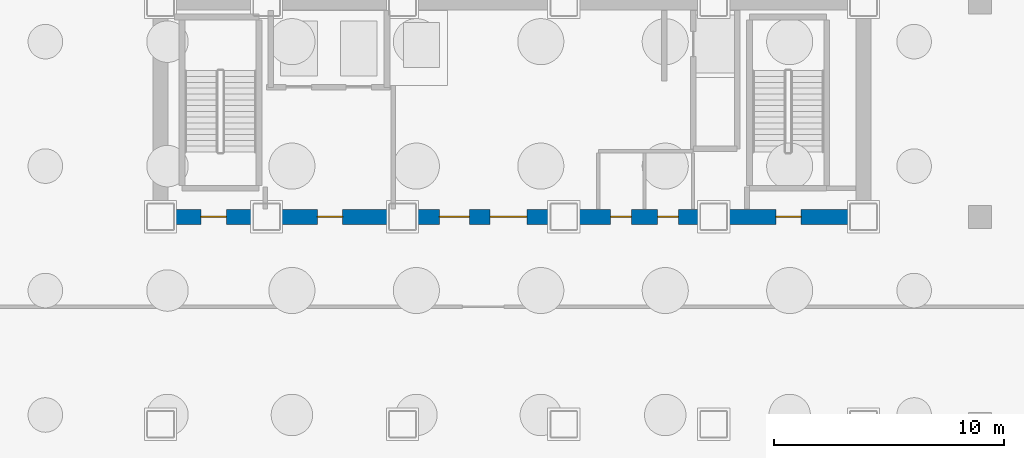
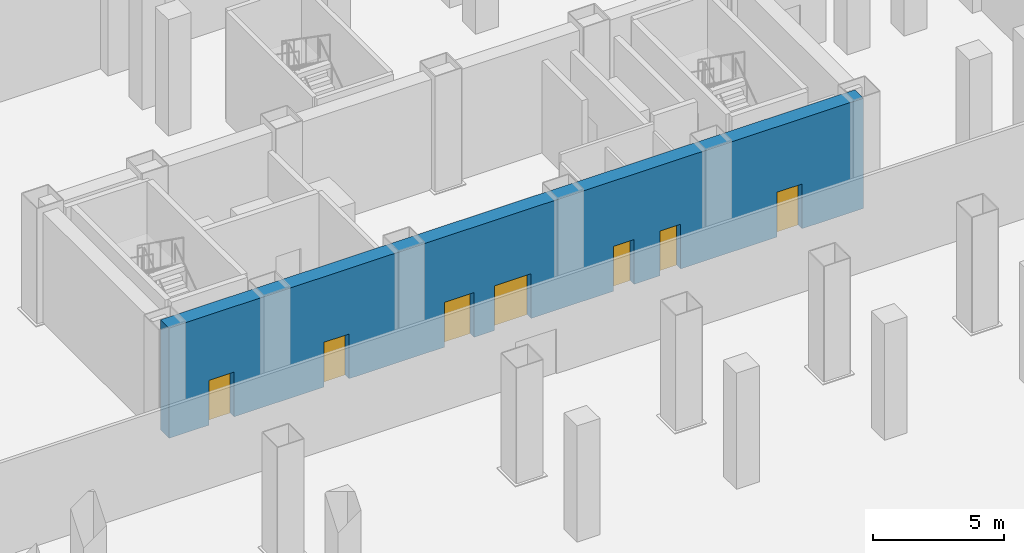
# One storey, part 3 of 8: 7 doors, 1 wall, 7 openings.
"""IFC4 building model written with IfcOpenShell, lengths in metres."""

from ifc_helpers import new_model, si_unit, direction, frame, frame_2d, origin, place, context, subcontext, project, spatial, rectangle, extrude, material, layer, layer_set, type_object, element, fill, save


model = new_model("IFC4")

# Units and contexts
model_context = context("Model", 3, precision=1e-05, world=origin(), true_north=direction((0.0, 1.0)))
body_context = subcontext(model_context, "Body", "Model", "MODEL_VIEW")
ifc_project = project(units=[si_unit("LENGTHUNIT", "METRE"), si_unit("AREAUNIT", "SQUARE_METRE"), si_unit("VOLUMEUNIT", "CUBIC_METRE"), si_unit("PLANEANGLEUNIT", "RADIAN"), si_unit("MASSUNIT", "GRAM", prefix="KILO")], contexts=[model_context])

# Site, building, storey
site_placement = place(None, origin())
site = spatial("IfcSite", under=ifc_project, at=site_placement, CompositionType="ELEMENT")
building_placement = place(site_placement, origin())
building = spatial("IfcBuilding", under=site, at=building_placement, Name="Noeulbin Bourse Tower", CompositionType="ELEMENT")
storey_placement = place(building_placement, frame((0.0, 0.0, -15.60009765625)))
storey = spatial("IfcBuildingStorey", under=building, at=storey_placement, Name="B03", CompositionType="ELEMENT", Elevation=-15.60009765625)

# Wall, openings, doors
ifc_material_1 = material(Name="Concrete C60/75", Category="concrete")
ifc_layer = layer(ifc_material_1, 0.64990234375)
ifc_layer_set = layer_set([ifc_layer], Name="Concrete C60/75")
wall_type = type_object("IfcWallType", Name="WAL-CORE-650", PredefinedType="SHEAR", material=ifc_layer_set)
wall_placement = place(storey_placement, frame((13.5, 29.0, 0.0), z_axis=(0.0, 0.0, 1.0), x_axis=(1.0, 0.0, 0.0)))
wall = element("IfcWall", 1, at=wall_placement, inside=storey, type_object=wall_type, Name="Rear Core South Shear Wall B03", PredefinedType="SHEAR", context=body_context, shape_type="SweptSolid", body=[
    extrude(rectangle(XDim=30.5, YDim=0.64990234375, at=frame_2d((15.25, 0.0))), origin(), (0.0, 0.0, 1.0), 5.1201171875),
])
opening_1_placement = place(wall_placement, frame((1.75, 0.0, 0.0)))
opening_1 = element("IfcOpeningElement", 2, at=opening_1_placement, cuts=wall, Name="Opening FD-11", PredefinedType="OPENING", context=body_context, shape_type="SweptSolid", body=[
    extrude(rectangle(XDim=1.10009765625, YDim=2.080078125, at=frame_2d((0.550048828125, 1.0400390625))), frame((0.0, 0.3349609375, 0.0), z_axis=(0.0, -1.0, 0.0), x_axis=(1.0, 0.0, 0.0)), (0.0, 0.0, 1.0), 0.669921875),
])
opening_2_placement = place(wall_placement, frame((26.699951171875, 0.0, 0.0)))
opening_2 = element("IfcOpeningElement", 3, at=opening_2_placement, cuts=wall, Name="Opening FD-11", PredefinedType="OPENING", context=body_context, shape_type="SweptSolid", body=[
    extrude(rectangle(XDim=1.10009765625, YDim=2.080078125, at=frame_2d((0.550048828125, 1.0400390625))), frame((0.0, 0.3349609375, 0.0), z_axis=(0.0, -1.0, 0.0), x_axis=(1.0, 0.0, 0.0)), (0.0, 0.0, 1.0), 0.669921875),
])
opening_3_placement = place(wall_placement, frame((6.800048828125, 0.0, 0.0)))
opening_3 = element("IfcOpeningElement", 4, at=opening_3_placement, cuts=wall, Name="Opening FD-11", PredefinedType="OPENING", context=body_context, shape_type="SweptSolid", body=[
    extrude(rectangle(XDim=1.10009765625, YDim=2.080078125, at=frame_2d((0.550048828125, 1.0400390625))), frame((0.0, 0.3349609375, 0.0), z_axis=(0.0, -1.0, 0.0), x_axis=(1.0, 0.0, 0.0)), (0.0, 0.0, 1.0), 0.669921875),
])
opening_4_placement = place(wall_placement, frame((14.300048828125, 0.0, 0.0)))
opening_4 = element("IfcOpeningElement", 5, at=opening_4_placement, cuts=wall, Name="Opening ID-16", PredefinedType="OPENING", context=body_context, shape_type="SweptSolid", body=[
    extrude(rectangle(XDim=1.60009765625, YDim=2.080078125, at=frame_2d((0.800048828125, 1.0400390625))), frame((0.0, 0.3349609375, 0.0), z_axis=(0.0, -1.0, 0.0), x_axis=(1.0, 0.0, 0.0)), (0.0, 0.0, 1.0), 0.669921875),
])
opening_5_placement = place(wall_placement, frame((19.530029296875, 0.0, 0.0)))
opening_5 = element("IfcOpeningElement", 6, at=opening_5_placement, cuts=wall, Name="Opening FD-09", PredefinedType="OPENING", context=body_context, shape_type="SweptSolid", body=[
    extrude(rectangle(XDim=0.89990234375, YDim=2.080078125, at=frame_2d((0.449951171875, 1.0400390625))), frame((0.0, 0.3349609375, 0.0), z_axis=(0.0, -1.0, 0.0), x_axis=(1.0, 0.0, 0.0)), (0.0, 0.0, 1.0), 0.669921875),
])
opening_6_placement = place(wall_placement, frame((21.570068359375, 0.0, 0.0)))
opening_6 = element("IfcOpeningElement", 7, at=opening_6_placement, cuts=wall, Name="Opening FD-09", PredefinedType="OPENING", context=body_context, shape_type="SweptSolid", body=[
    extrude(rectangle(XDim=0.89990234375, YDim=2.080078125, at=frame_2d((0.449951171875, 1.0400390625))), frame((0.0, 0.3349609375, 0.0), z_axis=(0.0, -1.0, 0.0), x_axis=(1.0, 0.0, 0.0)), (0.0, 0.0, 1.0), 0.669921875),
])
opening_7_placement = place(wall_placement, frame((12.10009765625, 0.0, 0.0)))
opening_7 = element("IfcOpeningElement", 8, at=opening_7_placement, cuts=wall, Name="Opening LD-13", PredefinedType="OPENING", context=body_context, shape_type="SweptSolid", body=[
    extrude(rectangle(XDim=1.300048828125, YDim=2.080078125, at=frame_2d((0.64990234375, 1.0400390625))), frame((0.0, 0.3349609375, 0.0), z_axis=(0.0, -1.0, 0.0), x_axis=(1.0, 0.0, 0.0)), (0.0, 0.0, 1.0), 0.669921875),
])
ifc_material_2 = material(Name="Acoustic Glazed Aluminium", Category="aluminium")
door_type_1 = type_object("IfcDoorType", Name="DR-DBL-1600", OperationType="DOUBLE_DOOR_SINGLE_SWING", PredefinedType="DOOR", material=ifc_material_2)
door_1_placement = place(opening_4_placement, origin())
door_1 = element("IfcDoor", 9, at=door_1_placement, inside=storey, type_object=door_type_1, Name="Passenger Lift Lobby Portal B03", OperationType="DOUBLE_DOOR_SINGLE_SWING", OverallHeight=2.080078125, OverallWidth=1.60009765625, PredefinedType="DOOR", context=body_context, shape_type="SweptSolid", body=[
    extrude(rectangle(XDim=1.60009765625, YDim=2.080078125, at=frame_2d((0.800048828125, 1.0400390625))), frame((0.0, 0.02490234375, 0.0), z_axis=(0.0, -1.0, 0.0), x_axis=(1.0, 0.0, 0.0)), (0.0, 0.0, 1.0), 0.050048828125),
])
fill(opening_4, door_1)
ifc_material_3 = material(Name="Fire-Rated Timber Core", Category="wood")
door_type_2 = type_object("IfcDoorType", Name="DR-FD30-900", OperationType="SINGLE_SWING_RIGHT", PredefinedType="DOOR", material=ifc_material_3)
door_2_placement = place(opening_5_placement, origin())
door_2 = element("IfcDoor", 10, at=door_2_placement, inside=storey, type_object=door_type_2, Name="Interior Door B03-09", OperationType="SINGLE_SWING_RIGHT", OverallHeight=2.080078125, OverallWidth=0.89990234375, PredefinedType="DOOR", context=body_context, shape_type="SweptSolid", body=[
    extrude(rectangle(XDim=0.89990234375, YDim=2.080078125, at=frame_2d((0.449951171875, 1.0400390625))), frame((0.0, 0.02490234375, 0.0), z_axis=(0.0, -1.0, 0.0), x_axis=(1.0, 0.0, 0.0)), (0.0, 0.0, 1.0), 0.050048828125),
])
fill(opening_5, door_2)
door_3_placement = place(opening_6_placement, origin())
door_3 = element("IfcDoor", 11, at=door_3_placement, inside=storey, type_object=door_type_2, Name="Interior Door B03-10", OperationType="SINGLE_SWING_LEFT", OverallHeight=2.080078125, OverallWidth=0.89990234375, PredefinedType="DOOR", context=body_context, shape_type="SweptSolid", body=[
    extrude(rectangle(XDim=0.89990234375, YDim=2.080078125, at=frame_2d((0.449951171875, 1.0400390625))), frame((0.0, 0.02490234375, 0.0), z_axis=(0.0, -1.0, 0.0), x_axis=(1.0, 0.0, 0.0)), (0.0, 0.0, 1.0), 0.050048828125),
])
fill(opening_6, door_3)
ifc_material_4 = material(Name="Fire-Rated Insulated Steel", Category="steel")
door_type_3 = type_object("IfcDoorType", Name="DR-FD60-1100", OperationType="SINGLE_SWING_LEFT", PredefinedType="DOOR", material=ifc_material_4)
door_4_placement = place(opening_1_placement, origin())
door_4 = element("IfcDoor", 12, at=door_4_placement, inside=storey, type_object=door_type_3, Name="West Stair Lobby Door B03", OperationType="SINGLE_SWING_RIGHT", OverallHeight=2.080078125, OverallWidth=1.10009765625, PredefinedType="DOOR", context=body_context, shape_type="SweptSolid", body=[
    extrude(rectangle(XDim=1.10009765625, YDim=2.080078125, at=frame_2d((0.550048828125, 1.0400390625))), frame((0.0, 0.02490234375, 0.0), z_axis=(0.0, -1.0, 0.0), x_axis=(1.0, 0.0, 0.0)), (0.0, 0.0, 1.0), 0.050048828125),
])
fill(opening_1, door_4)
door_5_placement = place(opening_2_placement, origin())
door_5 = element("IfcDoor", 13, at=door_5_placement, inside=storey, type_object=door_type_3, Name="East Stair Lobby Door B03", OperationType="SINGLE_SWING_LEFT", OverallHeight=2.080078125, OverallWidth=1.10009765625, PredefinedType="DOOR", context=body_context, shape_type="SweptSolid", body=[
    extrude(rectangle(XDim=1.10009765625, YDim=2.080078125, at=frame_2d((0.550048828125, 1.0400390625))), frame((0.0, 0.02490234375, 0.0), z_axis=(0.0, -1.0, 0.0), x_axis=(1.0, 0.0, 0.0)), (0.0, 0.0, 1.0), 0.050048828125),
])
fill(opening_2, door_5)
door_6_placement = place(opening_3_placement, origin())
door_6 = element("IfcDoor", 14, at=door_6_placement, inside=storey, type_object=door_type_3, Name="Firefighting Lobby Door B03", OperationType="SINGLE_SWING_RIGHT", OverallHeight=2.080078125, OverallWidth=1.10009765625, PredefinedType="DOOR", context=body_context, shape_type="SweptSolid", body=[
    extrude(rectangle(XDim=1.10009765625, YDim=2.080078125, at=frame_2d((0.550048828125, 1.0400390625))), frame((0.0, 0.02490234375, 0.0), z_axis=(0.0, -1.0, 0.0), x_axis=(1.0, 0.0, 0.0)), (0.0, 0.0, 1.0), 0.050048828125),
])
fill(opening_3, door_6)
ifc_material_5 = material(Name="Brushed Stainless Steel 316", Category="steel")
door_type_4 = type_object("IfcDoorType", Name="DR-LIFT-1300", OperationType="DOUBLE_DOOR_SLIDING", PredefinedType="DOOR", material=ifc_material_5)
door_7_placement = place(opening_7_placement, origin())
door_7 = element("IfcDoor", 15, at=door_7_placement, inside=storey, type_object=door_type_4, Name="Lift Landing Door LD-PL-S1-B03", OperationType="DOUBLE_DOOR_SLIDING", OverallHeight=2.080078125, OverallWidth=1.300048828125, PredefinedType="DOOR", context=body_context, shape_type="SweptSolid", body=[
    extrude(rectangle(XDim=1.300048828125, YDim=2.080078125, at=frame_2d((0.64990234375, 1.0400390625))), frame((0.0, 0.02490234375, 0.0), z_axis=(0.0, -1.0, 0.0), x_axis=(1.0, 0.0, 0.0)), (0.0, 0.0, 1.0), 0.050048828125),
])
fill(opening_7, door_7)

save(model, "model.ifc")
